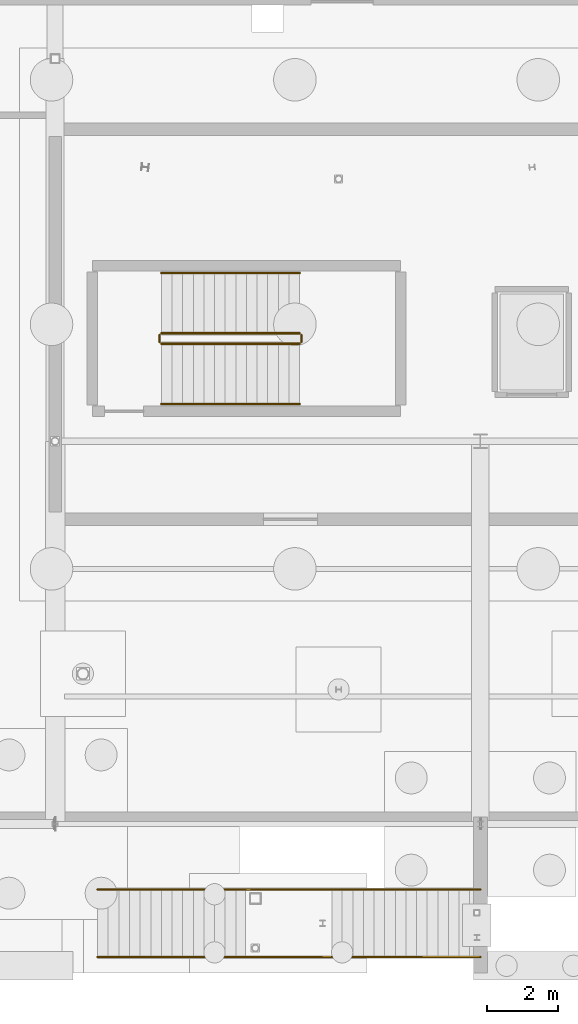
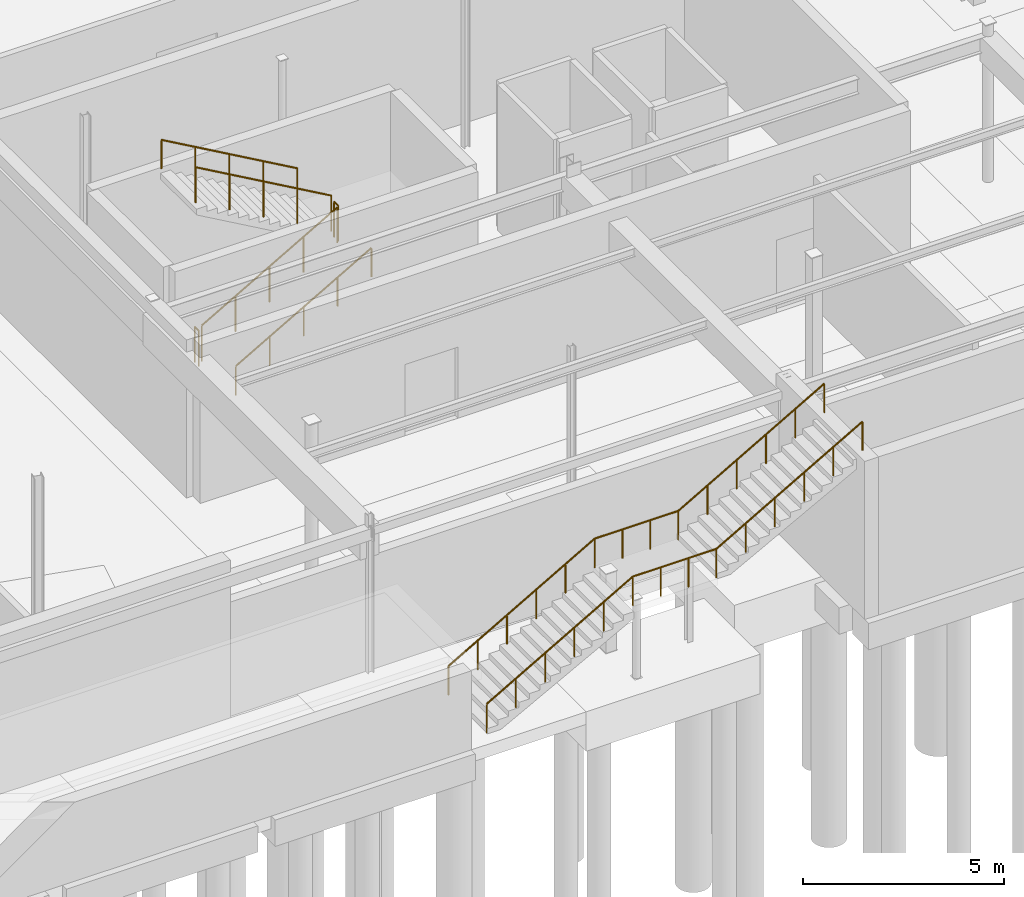
# One storey, part 130 of 136: 8 railings.
"""IFC4 building model written with IfcOpenShell, lengths in metres."""

import ifcopenshell
import ifcopenshell.guid

model = None  # the IFC model being written
_history = None  # IfcOwnerHistory: only IFC2X3 demands one
_inside = {}  # id of a spatial element -> (the spatial element, [elements in it])
_under = {}  # id of a project, library or spatial element -> (it, [spatial elements below it])
_declared = {}  # id of a project -> (the project, [libraries it declares])
_typed = {}  # id of a type object -> (the type object, [elements of that type])
_made_of = {}  # id of a material, layer set ... -> (it, [elements and type objects made of it])


def new_model(schema):
    """Start an empty IFC model of exactly this schema.

    Asked for "IFC4X3", IfcOpenShell would pick the latest addendum, in which some entities
    have other attributes; the version numbers below select the first issue.
    IFC2X3 requires an IfcOwnerHistory on every rooted entity: one is made here for all.
    """
    global model, _history
    if schema == "IFC4X3":
        model = ifcopenshell.file(schema_version=(4, 3, 0, 0))
    else:
        model = ifcopenshell.file(schema=schema)
    _inside.clear()
    _under.clear()
    _declared.clear()
    _typed.clear()
    _made_of.clear()
    _history = None
    if model.schema == "IFC2X3":
        org = make("IfcOrganization", Name="unknown")
        user = make(
            "IfcPersonAndOrganization",
            ThePerson=make("IfcPerson", FamilyName="unknown"),
            TheOrganization=org,
        )
        app = make(
            "IfcApplication",
            ApplicationDeveloper=org,
            Version="unknown",
            ApplicationFullName="unknown",
            ApplicationIdentifier="unknown",
        )
        _history = make(
            "IfcOwnerHistory",
            OwningUser=user,
            OwningApplication=app,
            ChangeAction="ADDED",
            CreationDate=0,
        )
    return model


def make(cls, **values):
    """One entity of the class cls with the attributes given. An attribute that is None is left unset."""
    return model.create_entity(
        cls, **{name: value for name, value in values.items() if value is not None}
    )


def rooted(cls, **values):
    """An entity with a GlobalId (a new one), such as an element, a storey or a relation."""
    return make(cls, GlobalId=ifcopenshell.guid.new(), OwnerHistory=_history, **values)


def si_unit(unit_type, name, prefix=None):
    """IfcSIUnit, for example si_unit("LENGTHUNIT", "METRE", prefix="MILLI")."""
    return make("IfcSIUnit", UnitType=unit_type, Prefix=prefix, Name=name)


def assignment(units):
    """IfcUnitAssignment: the units of a project."""
    return None if units is None else make("IfcUnitAssignment", Units=units)


def point(xyz):
    """IfcCartesianPoint."""
    return None if xyz is None else make("IfcCartesianPoint", Coordinates=xyz)


def direction(xyz):
    """IfcDirection."""
    return None if xyz is None else make("IfcDirection", DirectionRatios=xyz)


def frame(location, z_axis=None, x_axis=None):
    """IfcAxis2Placement3D, a coordinate frame: its origin and axes. An axis left out is left unset."""
    return make(
        "IfcAxis2Placement3D",
        Location=point(location),
        Axis=direction(z_axis),
        RefDirection=direction(x_axis),
    )


def frame_2d(location, x_axis=None):
    """IfcAxis2Placement2D, a coordinate frame in the plane: its origin and x axis."""
    return make(
        "IfcAxis2Placement2D", Location=point(location), RefDirection=direction(x_axis)
    )


def origin():
    """The frame at (0, 0, 0) with its axes left unset."""
    return frame((0.0, 0.0, 0.0))


def origin_2d():
    """The frame at (0, 0) in the plane with its x axis left unset."""
    return frame_2d((0.0, 0.0))


def place(relative_to, where):
    """IfcLocalPlacement: puts the frame where relative to a parent placement (None: the world)."""
    return make(
        "IfcLocalPlacement", PlacementRelTo=relative_to, RelativePlacement=where
    )


def context(
    kind, dimensions, precision=None, world=None, true_north=None, identifier=None
):
    """IfcGeometricRepresentationContext, for example the 3D "Model" context."""
    return make(
        "IfcGeometricRepresentationContext",
        ContextIdentifier=identifier,
        ContextType=kind,
        CoordinateSpaceDimension=dimensions,
        Precision=precision,
        WorldCoordinateSystem=world,
        TrueNorth=true_north,
    )


def subcontext(parent, identifier, kind, view, scale=None):
    """IfcGeometricRepresentationSubContext, for example "Body" below "Model"."""
    return make(
        "IfcGeometricRepresentationSubContext",
        ContextIdentifier=identifier,
        ContextType=kind,
        ParentContext=parent,
        TargetScale=scale,
        TargetView=view,
    )


def project(units=None, contexts=None):
    """IfcProject with its units and contexts."""
    return rooted(
        "IfcProject",
        Name="project",
        RepresentationContexts=contexts,
        UnitsInContext=assignment(units),
    )


def spatial(cls, under=None, at=None, **own):
    """A site, building, storey or space (cls), placed at a placement, below another one or the project."""
    s = rooted(cls, ObjectPlacement=at, **own)
    if under is not None:
        _under.setdefault(under.id(), (under, []))[1].append(s)
    return s


def profile(cls, at=None, kind="AREA", **sizes):
    """A parametric profile (cls). Its sizes go by their IFC names, for example OverallWidth=200.0."""
    return make(cls, ProfileType=kind, Position=at, **sizes)


def circle(**sizes):
    """IfcCircleProfileDef."""
    return profile("IfcCircleProfileDef", **sizes)


def extrude(swept, where, along, depth):
    """IfcExtrudedAreaSolid: the profile swept, set in the frame where, extruded along a direction by depth."""
    return make(
        "IfcExtrudedAreaSolid",
        SweptArea=swept,
        Position=where,
        ExtrudedDirection=direction(along),
        Depth=depth,
    )


def shape(context_of_items, identifier, shape_type, items):
    """IfcShapeRepresentation: the items that make up one representation, for example the "Body"."""
    return make(
        "IfcShapeRepresentation",
        ContextOfItems=context_of_items,
        RepresentationIdentifier=identifier,
        RepresentationType=shape_type,
        Items=items,
    )


def material(Name=None, Category=None):
    """IfcMaterial."""
    return make("IfcMaterial", Name=Name, Category=Category)


def made_of(thing, what):
    """Note that an element or type object is made of a material, layer set ...; save() writes the relation."""
    if what is not None:
        _made_of.setdefault(what.id(), (what, []))[1].append(thing)
    return thing


def type_object(cls, material=None, **own):
    """A type object (cls), such as IfcWallType, which elements share."""
    return made_of(rooted(cls, **own), material)


def element(
    cls,
    number,
    at=None,
    inside=None,
    cuts=None,
    type_object=None,
    material=None,
    context=None,
    identifier="Body",
    shape_type=None,
    held_by="IfcProductDefinitionShape",
    body=None,
    shapes=None,
    **own,
):
    """One element of the class cls, such as IfcWall. Its Tag is "e" and its number.

    at: its placement. inside: the storey or other place that contains it. cuts: it is an
    opening in that element (IfcRelVoidsElement). A single representation is given by context,
    identifier, shape_type and body (its items); several are given by shapes. held_by: the class
    of the entity that holds the representations. save() writes the other relations.
    """
    e = rooted(cls, Tag="e%d" % number, ObjectPlacement=at, **own)
    if body is not None:
        shapes = [shape(context, identifier, shape_type, body)]
    if shapes is not None:
        e.Representation = make(held_by, Representations=shapes)
    if inside is not None:
        _inside.setdefault(inside.id(), (inside, []))[1].append(e)
    if cuts is not None:
        rooted(
            "IfcRelVoidsElement", RelatingBuildingElement=cuts, RelatedOpeningElement=e
        )
    if type_object is not None:
        _typed.setdefault(type_object.id(), (type_object, []))[1].append(e)
    return made_of(e, material)


def aggregate(whole, parts):
    """IfcRelAggregates: a whole, such as a stair, and the parts it consists of."""
    return rooted("IfcRelAggregates", RelatingObject=whole, RelatedObjects=parts)


def save(model, path):
    """Write the relations noted so far, then the file.

    IfcRelAggregates (storeys below a building ...), IfcRelContainedInSpatialStructure (elements
    in a storey), IfcRelDefinesByType, IfcRelAssociatesMaterial and IfcRelDeclares: one each for
    every whole, place, type object, material and project.
    """
    for whole, parts in _under.values():
        aggregate(whole, parts)
    for where, things in _inside.values():
        rooted(
            "IfcRelContainedInSpatialStructure",
            RelatedElements=things,
            RelatingStructure=where,
        )
    for kind, things in _typed.values():
        rooted("IfcRelDefinesByType", RelatedObjects=things, RelatingType=kind)
    for what, things in _made_of.values():
        rooted("IfcRelAssociatesMaterial", RelatedObjects=things, RelatingMaterial=what)
    for by, libraries in _declared.values():
        rooted("IfcRelDeclares", RelatingContext=by, RelatedDefinitions=libraries)
    model.write(path)


model = new_model("IFC4")

# Units and contexts
model_context = context("Model", 3, precision=1e-05, world=origin(), true_north=direction((0.0, 1.0)))
body_context = subcontext(model_context, "Body", "Model", "MODEL_VIEW")
ifc_project = project(units=[si_unit("LENGTHUNIT", "METRE"), si_unit("AREAUNIT", "SQUARE_METRE"), si_unit("VOLUMEUNIT", "CUBIC_METRE"), si_unit("PLANEANGLEUNIT", "RADIAN"), si_unit("MASSUNIT", "GRAM", prefix="KILO")], contexts=[model_context])

# Site, building, storey
site_placement = place(None, origin())
site = spatial("IfcSite", under=ifc_project, at=site_placement, CompositionType="ELEMENT")
building_placement = place(site_placement, origin())
building = spatial("IfcBuilding", under=site, at=building_placement, Name="Tarnwether General Hospital", CompositionType="ELEMENT")
storey_placement = place(building_placement, frame((0.0, 0.0, -4.800048828125)))
storey = spatial("IfcBuildingStorey", under=building, at=storey_placement, Name="LG", CompositionType="ELEMENT", Elevation=-4.800048828125)

# Railings
ifc_material_1 = material(Name="Anodised aluminium", Category="aluminium")
railing_type_1 = type_object("IfcRailingType", Name="RL-GRD-INT", PredefinedType="GUARDRAIL", material=ifc_material_1)
railing_1_placement = place(storey_placement, frame((87.0, 13.550048828125, 0.17138671875)))
element("IfcRailing", 1, at=railing_1_placement, inside=storey, type_object=railing_type_1, Name="LG ST-02 stair guard 1", PredefinedType="GUARDRAIL", context=body_context, shape_type="SweptSolid", body=[
    extrude(circle(Radius=0.02392578125, at=origin_2d()), frame((0.0, 0.0, 1.076171875), z_axis=(0.868219727965, 0.0, 0.496179910892), x_axis=(0.0, 1.0, 0.0)), (0.0, 0.0, 1.0), 4.491943359375),
    extrude(circle(Radius=0.02099609375, at=origin_2d()), origin(), (0.0, 0.0, 1.0), 1.052001953125),
    extrude(circle(Radius=0.02099609375, at=origin_2d()), frame((0.97509765625, 0.0, 0.55712890625)), (0.0, 0.0, 1.0), 1.052001953125),
    extrude(circle(Radius=0.02099609375, at=origin_2d()), frame((1.949951171875, 0.0, 1.1142578125)), (0.0, 0.0, 1.0), 1.052001953125),
    extrude(circle(Radius=0.02099609375, at=origin_2d()), frame((2.9248046875, 0.0, 1.671630859375)), (0.0, 0.0, 1.0), 1.052001953125),
    extrude(circle(Radius=0.02099609375, at=origin_2d()), frame((3.89990234375, 0.0, 2.228759765625)), (0.0, 0.0, 1.0), 1.052001953125),
])
railing_2_placement = place(storey_placement, frame((90.949951171875, 13.60009765625, 2.400146484375)))
element("IfcRailing", 2, at=railing_2_placement, inside=storey, type_object=railing_type_1, Name="LG ST-02 stair guard 2", PredefinedType="GUARDRAIL", context=body_context, shape_type="SweptSolid", body=[
    extrude(circle(Radius=0.02392578125, at=origin_2d()), frame((0.0, 0.0, 1.076171875), z_axis=(0.0, 1.0, 0.0), x_axis=(-1.0, 0.0, 0.0)), (0.0, 0.0, 1.0), 0.199951171875),
    extrude(circle(Radius=0.02099609375, at=origin_2d()), origin(), (0.0, 0.0, 1.0), 1.052001953125),
    extrude(circle(Radius=0.02099609375, at=origin_2d()), frame((0.0, 0.199951171875, 0.0)), (0.0, 0.0, 1.0), 1.052001953125),
])
railing_3_placement = place(storey_placement, frame((90.89990234375, 13.85009765625, 2.571533203125)))
element("IfcRailing", 3, at=railing_3_placement, inside=storey, type_object=railing_type_1, Name="LG ST-02 stair guard 3", PredefinedType="GUARDRAIL", context=body_context, shape_type="SweptSolid", body=[
    extrude(circle(Radius=0.02392578125, at=origin_2d()), frame((0.0, 0.0, 1.076171875), z_axis=(-0.868243142124, 0.0, 0.496138938357), x_axis=(0.0, -1.0, 0.0)), (0.0, 0.0, 1.0), 4.49169921875),
    extrude(circle(Radius=0.02099609375, at=origin_2d()), origin(), (0.0, 0.0, 1.0), 1.052001953125),
    extrude(circle(Radius=0.02099609375, at=origin_2d()), frame((-0.97509765625, 0.0, 0.55712890625)), (0.0, 0.0, 1.0), 1.052001953125),
    extrude(circle(Radius=0.02099609375, at=origin_2d()), frame((-1.949951171875, 0.0, 1.1142578125)), (0.0, 0.0, 1.0), 1.052001953125),
    extrude(circle(Radius=0.02099609375, at=origin_2d()), frame((-2.9248046875, 0.0, 1.67138671875)), (0.0, 0.0, 1.0), 1.052001953125),
    extrude(circle(Radius=0.02099609375, at=origin_2d()), frame((-3.89990234375, 0.0, 2.228515625)), (0.0, 0.0, 1.0), 1.052001953125),
])
railing_4_placement = place(storey_placement, frame((86.949951171875, 13.60009765625, 0.0)))
element("IfcRailing", 4, at=railing_4_placement, inside=storey, type_object=railing_type_1, Name="LG ST-02 stair guard 4", PredefinedType="GUARDRAIL", context=body_context, shape_type="SweptSolid", body=[
    extrude(circle(Radius=0.02392578125, at=origin_2d()), frame((0.0, 0.0, 1.076171875), z_axis=(0.0, 1.0, 0.0), x_axis=(-1.0, 0.0, 0.0)), (0.0, 0.0, 1.0), 0.199951171875),
    extrude(circle(Radius=0.02099609375, at=origin_2d()), origin(), (0.0, 0.0, 1.0), 1.052001953125),
    extrude(circle(Radius=0.02099609375, at=origin_2d()), frame((0.0, 0.199951171875, 0.0)), (0.0, 0.0, 1.0), 1.052001953125),
])
ifc_material_2 = material(Name="Anodised aluminium", Category="aluminium")
railing_type_2 = type_object("IfcRailingType", Name="RL-HND-INT", PredefinedType="HANDRAIL", material=ifc_material_2)
railing_5_placement = place(storey_placement, frame((85.199951171875, -3.75, 0.0)))
element("IfcRailing", 5, at=railing_5_placement, inside=storey, type_object=railing_type_2, Name="Exterior Scarp Stair Handrail ST-16", PredefinedType="HANDRAIL", context=body_context, shape_type="SweptSolid", body=[
    extrude(circle(Radius=0.02392578125, at=origin_2d()), frame((0.0, 0.0, 0.8759765625), z_axis=(0.868227612608, 0.0, 0.496166114024), x_axis=(0.0, 1.0, 0.0)), (0.0, 0.0, 1.0), 4.83740234375),
    extrude(circle(Radius=0.02392578125, at=origin_2d()), frame((4.199951171875, 0.0, 3.27587890625), z_axis=(1.0, 0.0, 0.0), x_axis=(0.0, 1.0, 0.0)), (0.0, 0.0, 1.0), 2.400146484375),
    extrude(circle(Radius=0.02392578125, at=origin_2d()), frame((6.60009765625, 0.0, 3.27587890625), z_axis=(0.868249353848, 0.0, 0.496128067682), x_axis=(0.0, 1.0, 0.0)), (0.0, 0.0, 1.0), 4.837158203125),
    extrude(circle(Radius=0.02099609375, at=origin_2d()), origin(), (0.0, 0.0, 1.0), 0.851806640625),
    extrude(circle(Radius=0.02099609375, at=origin_2d()), frame((0.840087890625, 0.0, 0.47998046875)), (0.0, 0.0, 1.0), 0.851806640625),
    extrude(circle(Radius=0.02099609375, at=origin_2d()), frame((1.679931640625, 0.0, 0.9599609375)), (0.0, 0.0, 1.0), 0.851806640625),
    extrude(circle(Radius=0.02099609375, at=origin_2d()), frame((2.52001953125, 0.0, 1.440185546875)), (0.0, 0.0, 1.0), 0.851806640625),
    extrude(circle(Radius=0.02099609375, at=origin_2d()), frame((3.35986328125, 0.0, 1.920166015625)), (0.0, 0.0, 1.0), 0.851806640625),
    extrude(circle(Radius=0.02099609375, at=origin_2d()), frame((4.199951171875, 0.0, 2.400146484375)), (0.0, 0.0, 1.0), 0.851806640625),
    extrude(circle(Radius=0.02099609375, at=origin_2d()), frame((5.0, 0.0, 2.400146484375)), (0.0, 0.0, 1.0), 0.851806640625),
    extrude(circle(Radius=0.02099609375, at=origin_2d()), frame((5.800048828125, 0.0, 2.400146484375)), (0.0, 0.0, 1.0), 0.851806640625),
    extrude(circle(Radius=0.02099609375, at=origin_2d()), frame((6.60009765625, 0.0, 2.400146484375)), (0.0, 0.0, 1.0), 0.851806640625),
    extrude(circle(Radius=0.02099609375, at=origin_2d()), frame((7.440185546875, 0.0, 2.880126953125)), (0.0, 0.0, 1.0), 0.851806640625),
    extrude(circle(Radius=0.02099609375, at=origin_2d()), frame((8.280029296875, 0.0, 3.360107421875)), (0.0, 0.0, 1.0), 0.851806640625),
    extrude(circle(Radius=0.02099609375, at=origin_2d()), frame((9.1201171875, 0.0, 3.840087890625)), (0.0, 0.0, 1.0), 0.851806640625),
    extrude(circle(Radius=0.02099609375, at=origin_2d()), frame((9.9599609375, 0.0, 4.320068359375)), (0.0, 0.0, 1.0), 0.851806640625),
    extrude(circle(Radius=0.02099609375, at=origin_2d()), frame((10.800048828125, 0.0, 4.800048828125)), (0.0, 0.0, 1.0), 0.851806640625),
])
railing_6_placement = place(storey_placement, frame((85.199951171875, -1.85009765625, 0.0)))
element("IfcRailing", 6, at=railing_6_placement, inside=storey, type_object=railing_type_2, Name="Exterior Scarp Stair Handrail ST-16", PredefinedType="HANDRAIL", context=body_context, shape_type="SweptSolid", body=[
    extrude(circle(Radius=0.02392578125, at=origin_2d()), frame((0.0, 0.0, 0.8759765625), z_axis=(0.868227612608, 0.0, 0.496166114024), x_axis=(0.0, 1.0, 0.0)), (0.0, 0.0, 1.0), 4.83740234375),
    extrude(circle(Radius=0.02392578125, at=origin_2d()), frame((4.199951171875, 0.0, 3.27587890625), z_axis=(1.0, 0.0, 0.0), x_axis=(0.0, 1.0, 0.0)), (0.0, 0.0, 1.0), 2.400146484375),
    extrude(circle(Radius=0.02392578125, at=origin_2d()), frame((6.60009765625, 0.0, 3.27587890625), z_axis=(0.868249353848, 0.0, 0.496128067682), x_axis=(0.0, 1.0, 0.0)), (0.0, 0.0, 1.0), 4.837158203125),
    extrude(circle(Radius=0.02099609375, at=origin_2d()), origin(), (0.0, 0.0, 1.0), 0.851806640625),
    extrude(circle(Radius=0.02099609375, at=origin_2d()), frame((0.840087890625, 0.0, 0.47998046875)), (0.0, 0.0, 1.0), 0.851806640625),
    extrude(circle(Radius=0.02099609375, at=origin_2d()), frame((1.679931640625, 0.0, 0.9599609375)), (0.0, 0.0, 1.0), 0.851806640625),
    extrude(circle(Radius=0.02099609375, at=origin_2d()), frame((2.52001953125, 0.0, 1.440185546875)), (0.0, 0.0, 1.0), 0.851806640625),
    extrude(circle(Radius=0.02099609375, at=origin_2d()), frame((3.35986328125, 0.0, 1.920166015625)), (0.0, 0.0, 1.0), 0.851806640625),
    extrude(circle(Radius=0.02099609375, at=origin_2d()), frame((4.199951171875, 0.0, 2.400146484375)), (0.0, 0.0, 1.0), 0.851806640625),
    extrude(circle(Radius=0.02099609375, at=origin_2d()), frame((5.0, 0.0, 2.400146484375)), (0.0, 0.0, 1.0), 0.851806640625),
    extrude(circle(Radius=0.02099609375, at=origin_2d()), frame((5.800048828125, 0.0, 2.400146484375)), (0.0, 0.0, 1.0), 0.851806640625),
    extrude(circle(Radius=0.02099609375, at=origin_2d()), frame((6.60009765625, 0.0, 2.400146484375)), (0.0, 0.0, 1.0), 0.851806640625),
    extrude(circle(Radius=0.02099609375, at=origin_2d()), frame((7.440185546875, 0.0, 2.880126953125)), (0.0, 0.0, 1.0), 0.851806640625),
    extrude(circle(Radius=0.02099609375, at=origin_2d()), frame((8.280029296875, 0.0, 3.360107421875)), (0.0, 0.0, 1.0), 0.851806640625),
    extrude(circle(Radius=0.02099609375, at=origin_2d()), frame((9.1201171875, 0.0, 3.840087890625)), (0.0, 0.0, 1.0), 0.851806640625),
    extrude(circle(Radius=0.02099609375, at=origin_2d()), frame((9.9599609375, 0.0, 4.320068359375)), (0.0, 0.0, 1.0), 0.851806640625),
    extrude(circle(Radius=0.02099609375, at=origin_2d()), frame((10.800048828125, 0.0, 4.800048828125)), (0.0, 0.0, 1.0), 0.851806640625),
])
railing_7_placement = place(storey_placement, frame((87.0, 11.85009765625, 0.17138671875)))
element("IfcRailing", 7, at=railing_7_placement, inside=storey, type_object=railing_type_2, Name="LG ST-02 stair handrail 1", PredefinedType="HANDRAIL", context=body_context, shape_type="SweptSolid", body=[
    extrude(circle(Radius=0.02392578125, at=origin_2d()), frame((0.0, 0.0, 0.8759765625), z_axis=(0.868219727965, 0.0, 0.496179910892), x_axis=(0.0, 1.0, 0.0)), (0.0, 0.0, 1.0), 4.491943359375),
    extrude(circle(Radius=0.02099609375, at=origin_2d()), origin(), (0.0, 0.0, 1.0), 0.851806640625),
    extrude(circle(Radius=0.02099609375, at=origin_2d()), frame((0.97509765625, 0.0, 0.55712890625)), (0.0, 0.0, 1.0), 0.851806640625),
    extrude(circle(Radius=0.02099609375, at=origin_2d()), frame((1.949951171875, 0.0, 1.1142578125)), (0.0, 0.0, 1.0), 0.851806640625),
    extrude(circle(Radius=0.02099609375, at=origin_2d()), frame((2.9248046875, 0.0, 1.671630859375)), (0.0, 0.0, 1.0), 0.851806640625),
    extrude(circle(Radius=0.02099609375, at=origin_2d()), frame((3.89990234375, 0.0, 2.228759765625)), (0.0, 0.0, 1.0), 0.851806640625),
])
railing_8_placement = place(storey_placement, frame((90.89990234375, 15.550048828125, 2.571533203125)))
element("IfcRailing", 8, at=railing_8_placement, inside=storey, type_object=railing_type_2, Name="LG ST-02 stair handrail 2", PredefinedType="HANDRAIL", context=body_context, shape_type="SweptSolid", body=[
    extrude(circle(Radius=0.02392578125, at=origin_2d()), frame((0.0, 0.0, 0.8759765625), z_axis=(-0.868243142124, 0.0, 0.496138938357), x_axis=(0.0, -1.0, 0.0)), (0.0, 0.0, 1.0), 4.49169921875),
    extrude(circle(Radius=0.02099609375, at=origin_2d()), origin(), (0.0, 0.0, 1.0), 0.851806640625),
    extrude(circle(Radius=0.02099609375, at=origin_2d()), frame((-0.97509765625, 0.0, 0.55712890625)), (0.0, 0.0, 1.0), 0.851806640625),
    extrude(circle(Radius=0.02099609375, at=origin_2d()), frame((-1.949951171875, 0.0, 1.1142578125)), (0.0, 0.0, 1.0), 0.851806640625),
    extrude(circle(Radius=0.02099609375, at=origin_2d()), frame((-2.9248046875, 0.0, 1.67138671875)), (0.0, 0.0, 1.0), 0.851806640625),
    extrude(circle(Radius=0.02099609375, at=origin_2d()), frame((-3.89990234375, 0.0, 2.228515625)), (0.0, 0.0, 1.0), 0.851806640625),
])

save(model, "model.ifc")
